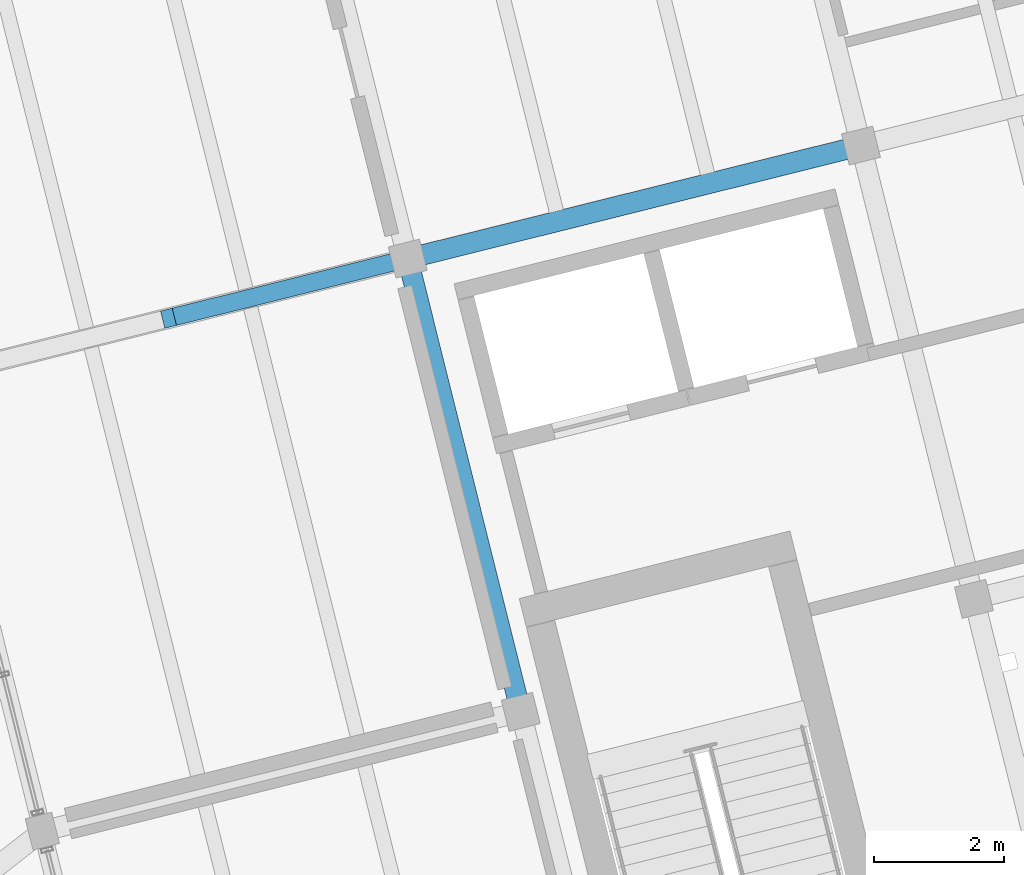
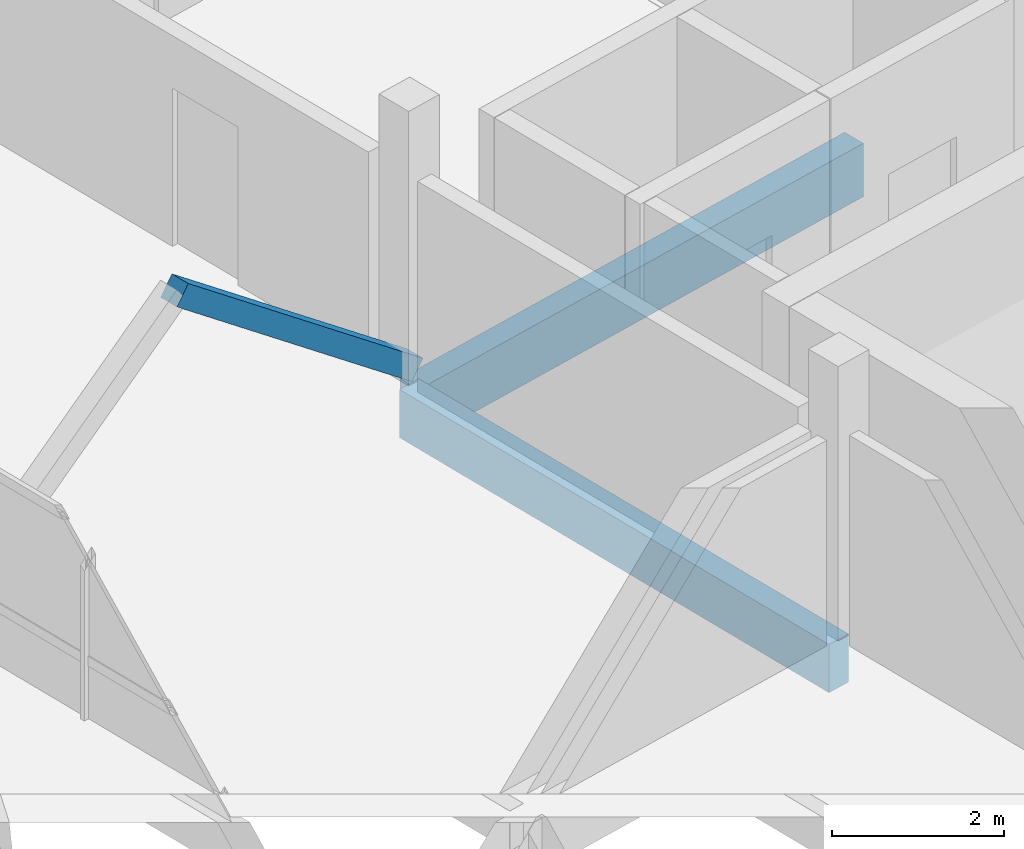
# One storey, part 9 of 37: 2 beams, 1 member.
"""IFC4 building model written with IfcOpenShell, lengths in metres."""

from ifc_helpers import new_model, si_unit, direction, frame, origin, origin_2d, place, context, subcontext, project, spatial, rectangle, extrude, material, material_profile, profile_set, type_object, element, save


model = new_model("IFC4")

# Units and contexts
model_context = context("Model", 3, precision=1e-05, world=origin(), true_north=direction((0.0, 1.0)))
body_context = subcontext(model_context, "Body", "Model", "MODEL_VIEW")
ifc_project = project(units=[si_unit("LENGTHUNIT", "METRE"), si_unit("AREAUNIT", "SQUARE_METRE"), si_unit("VOLUMEUNIT", "CUBIC_METRE"), si_unit("PLANEANGLEUNIT", "RADIAN"), si_unit("MASSUNIT", "GRAM", prefix="KILO")], contexts=[model_context])

# Site, building, storey
site_placement = place(None, origin())
site = spatial("IfcSite", under=ifc_project, at=site_placement, CompositionType="ELEMENT")
building_placement = place(site_placement, origin())
building = spatial("IfcBuilding", under=site, at=building_placement, Name="Meriwether Solvik Hall", CompositionType="ELEMENT")
storey_placement = place(building_placement, frame((0.0, 0.0, 26.10009765625)))
storey = spatial("IfcBuildingStorey", under=building, at=storey_placement, Name="L06", CompositionType="ELEMENT", Elevation=26.10009765625)

# Beams
ifc_material_1 = material(Name="Glulam Douglas-Fir 24F-V8 GL28h", Category="wood")
ifc_material_profile_1 = material_profile(ifc_material_1, rectangle(XDim=0.31494140625, YDim=0.68505859375, at=origin_2d()), Name="GLB-315X685")
ifc_profile_set_1 = profile_set([ifc_material_profile_1], Name="Glulam Douglas-Fir 24F-V8 GL28h")
beam_type_1 = type_object("IfcBeamType", Name="BM-GL-315X685", PredefinedType="BEAM", material=ifc_profile_set_1)
beam_1_placement = place(storey_placement, frame((72.6357421875, 56.4287109375, -0.5625), z_axis=(-0.241937193493, 0.970291911955, 0.0), x_axis=(-0.970291911955, -0.241937193493, 0.0)))
element("IfcBeam", 1, at=beam_1_placement, inside=storey, type_object=beam_type_1, Name="Tower Girder T2:TC-TD (L06)", PredefinedType="BEAM", context=body_context, shape_type="SweptSolid", body=[
    extrude(rectangle(XDim=0.31494140625, YDim=0.68505859375, at=origin_2d()), origin(), (0.0, 0.0, 1.0), 7.199951171875),
])
ifc_material_2 = material(Name="Glulam Douglas-Fir 24F-V8 GL28h", Category="wood")
ifc_material_profile_2 = material_profile(ifc_material_2, rectangle(XDim=0.31494140625, YDim=0.760009765625, at=origin_2d()), Name="GLB-315X760")
ifc_profile_set_2 = profile_set([ifc_material_profile_2], Name="Glulam Douglas-Fir 24F-V8 GL28h")
beam_type_2 = type_object("IfcBeamType", Name="BM-GL-315X760", PredefinedType="BEAM", material=ifc_profile_set_2)
beam_2_placement = place(storey_placement, frame((70.893798828125, 63.414794921875, -0.60009765625), z_axis=(0.970293896644, 0.241929233735, 0.0), x_axis=(-0.241929233735, 0.970293896644, 0.0)))
element("IfcBeam", 2, at=beam_2_placement, inside=storey, type_object=beam_type_2, Name="Tower Girder TD:T2-T3 (L06)", PredefinedType="BEAM", context=body_context, shape_type="SweptSolid", body=[
    extrude(rectangle(XDim=0.31494140625, YDim=0.760009765625, at=origin_2d()), origin(), (0.0, 0.0, 1.0), 7.2001953125),
])

# Member
ifc_material_3 = material(Name="Glulam Douglas-Fir 24F-V8 GL28h", Category="wood")
ifc_material_profile_3 = material_profile(ifc_material_3, rectangle(XDim=0.27294921875, YDim=0.304931640625, at=origin_2d()), Name="GLM-273X305")
ifc_profile_set_3 = profile_set([ifc_material_profile_3], Name="Glulam Douglas-Fir 24F-V8 GL28h")
member_type = type_object("IfcMemberType", Name="MEM-BR-GL273", PredefinedType="BRACE", material=ifc_profile_set_3)
member_placement = place(storey_placement, frame((70.893798828125, 63.414794921875, 0.0498046875), z_axis=(-0.770337742609, -0.192048841274, 0.608027141564), x_axis=(0.241900633533, -0.970301027257, 0.0)))
element("IfcMember", 3, at=member_placement, inside=storey, type_object=member_type, Name="Tower Chevron Brace L06-B2B", PredefinedType="BRACE", context=body_context, shape_type="SweptSolid", body=[
    extrude(rectangle(XDim=0.27294921875, YDim=0.304931640625, at=origin_2d()), origin(), (0.0, 0.0, 1.0), 4.7861328125),
])

save(model, "model.ifc")
